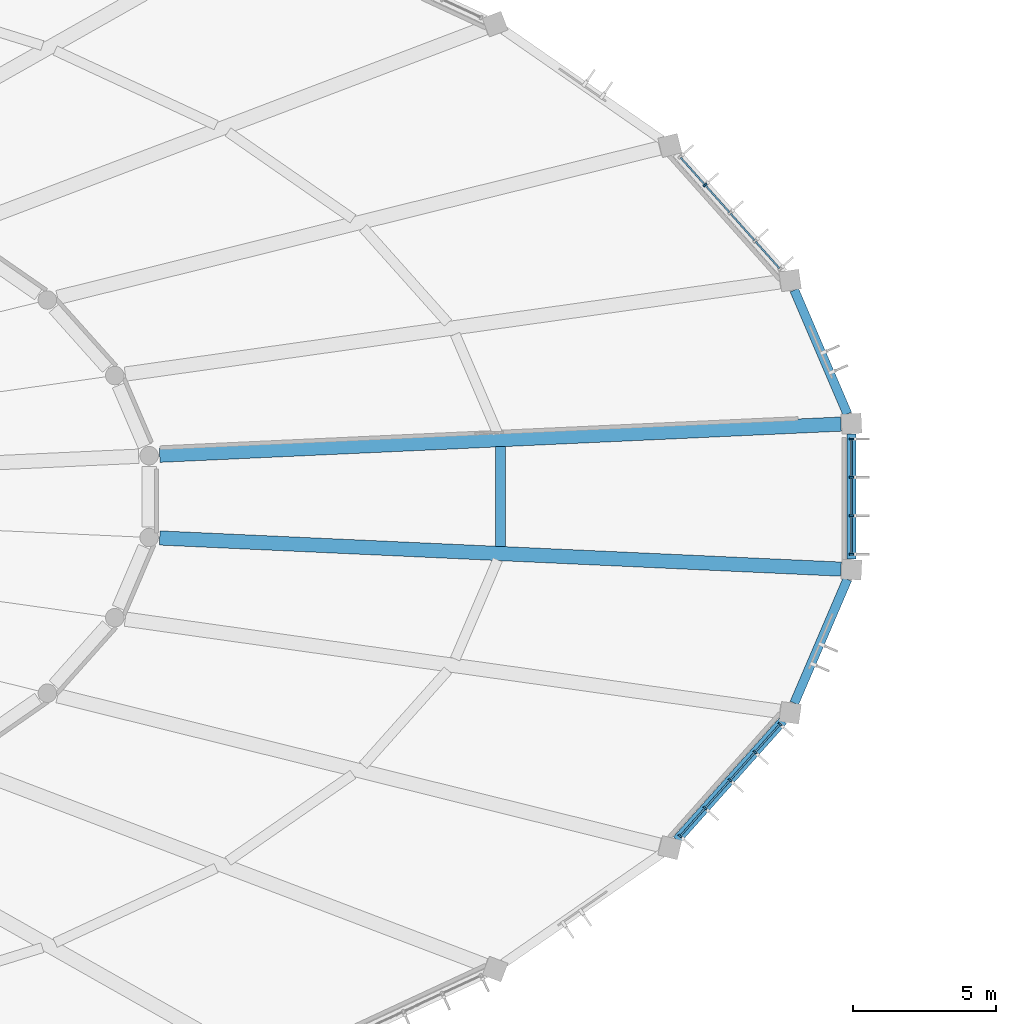
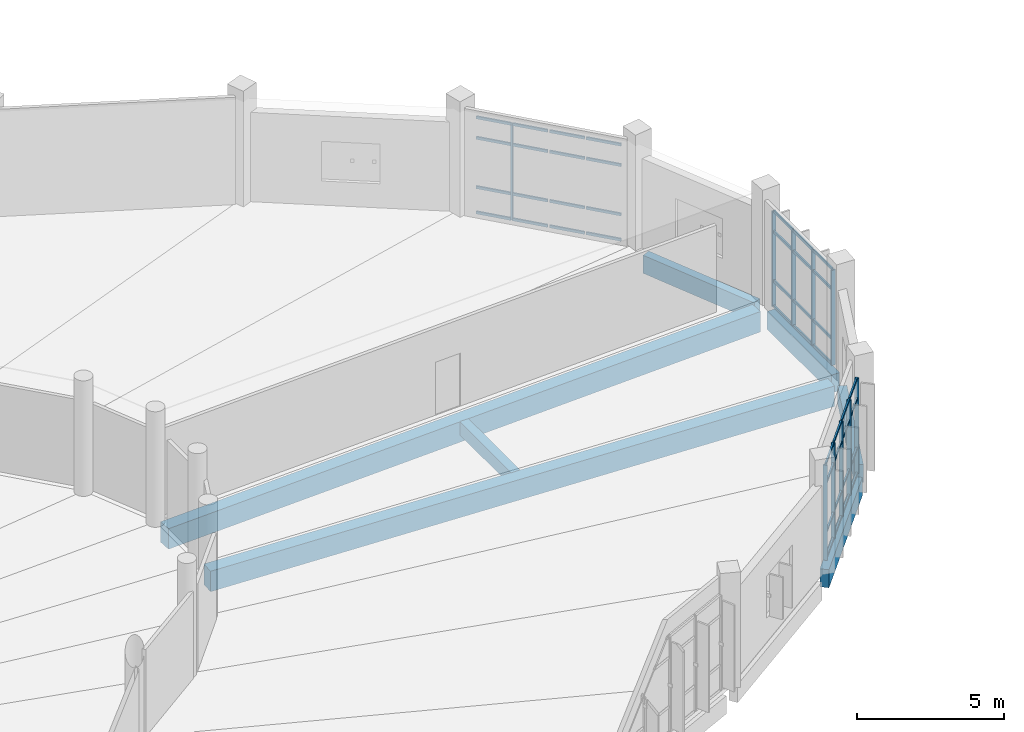
# One storey, part 68 of 179: 54 members, 7 beams, 3 elements without a shape of their own.
"""IFC4 building model written with IfcOpenShell, lengths in metres."""

from ifc_helpers import new_model, si_unit, direction, frame, origin, origin_2d, place, context, subcontext, project, spatial, rectangle, extrude, material, layer, layer_set, material_profile, profile_set, type_object, element, aggregate, save


model = new_model("IFC4")

# Units and contexts
model_context = context("Model", 3, precision=1e-05, world=origin(), true_north=direction((0.0, 1.0)))
body_context = subcontext(model_context, "Body", "Model", "MODEL_VIEW")
ifc_project = project(units=[si_unit("LENGTHUNIT", "METRE"), si_unit("AREAUNIT", "SQUARE_METRE"), si_unit("VOLUMEUNIT", "CUBIC_METRE"), si_unit("PLANEANGLEUNIT", "RADIAN"), si_unit("MASSUNIT", "GRAM", prefix="KILO")], contexts=[model_context])

# Site, building, storey
site_placement = place(None, origin())
site = spatial("IfcSite", under=ifc_project, at=site_placement, CompositionType="ELEMENT")
building_placement = place(site_placement, origin())
building = spatial("IfcBuilding", under=site, at=building_placement, Name="Corvandel Quay Wholesale Market", CompositionType="ELEMENT")
storey_placement = place(building_placement, frame((0.0, 0.0, 6.0)))
storey = spatial("IfcBuildingStorey", under=building, at=storey_placement, Name="L01", CompositionType="ELEMENT", Elevation=6.0)

# Curtain wall, member
ifc_material_1 = material(Name="Bronze anodised aluminium and low-E insulated glazing", Category="aluminium")
ifc_layer_1 = layer(ifc_material_1, 0.18603515625)
ifc_layer_set_1 = layer_set([ifc_layer_1], Name="Bronze anodised aluminium and low-E insulated glazing")
curtain_wall_type_1 = type_object("IfcCurtainWallType", Name="Stick Curtain Wall System CW08 H3720", PredefinedType="NOTDEFINED", material=ifc_layer_set_1)
curtain_wall_1_placement = place(storey_placement, origin())
curtain_wall_1 = element("IfcCurtainWall", 1, at=curtain_wall_1_placement, inside=storey, type_object=curtain_wall_type_1, Name="Curtain Wall CW-0091", PredefinedType="NOTDEFINED")
ifc_material_2 = material(Name="Anodised aluminium 6063-T6", Category="aluminium")
ifc_material_profile_1 = material_profile(ifc_material_2, rectangle(XDim=0.06494140625, YDim=0.14990234375, at=origin_2d()), Name="ALU-MUL-65x150")
ifc_profile_set_1 = profile_set([ifc_material_profile_1], Name="Anodised aluminium 6063-T6")
member_type_1 = type_object("IfcMemberType", Name="Curtain Wall Mullion ML02 65x150", PredefinedType="MULLION", material=ifc_profile_set_1)
member_1_placement = place(storey_placement, frame((164.862060546875, 126.931396484375, 0.0), z_axis=(0.0, 0.0, 1.0), x_axis=(-0.665621202286, 0.746289766155, 0.0)))
member_1 = element("IfcMember", 2, at=member_1_placement, type_object=member_type_1, Name="Mullion CW-0091-M03", PredefinedType="MULLION", context=body_context, shape_type="SweptSolid", body=[
    extrude(rectangle(XDim=0.06494140625, YDim=0.14990234375, at=origin_2d()), origin(), (0.0, 0.0, 1.0), 3.949951171875),
])

# Curtain wall, members
curtain_wall_2_placement = place(storey_placement, origin())
curtain_wall_2 = element("IfcCurtainWall", 3, at=curtain_wall_2_placement, inside=storey, type_object=curtain_wall_type_1, Name="Curtain Wall CW-0127", PredefinedType="NOTDEFINED")
member_2_placement = place(storey_placement, frame((163.986328125, 104.0869140625, 0.0), z_axis=(0.0, 0.0, 1.0), x_axis=(0.665621202286, 0.746289766155, 0.0)))
member_2 = element("IfcMember", 4, at=member_2_placement, type_object=member_type_1, Name="Mullion CW-0127-M00", PredefinedType="MULLION", context=body_context, shape_type="SweptSolid", body=[
    extrude(rectangle(XDim=0.06494140625, YDim=0.14990234375, at=origin_2d()), origin(), (0.0, 0.0, 1.0), 3.949951171875),
])
member_3_placement = place(storey_placement, frame((164.862060546875, 105.068603515625, 0.0), z_axis=(0.0, 0.0, 1.0), x_axis=(0.665621202286, 0.746289766155, 0.0)))
member_3 = element("IfcMember", 5, at=member_3_placement, type_object=member_type_1, Name="Mullion CW-0127-M01", PredefinedType="MULLION", context=body_context, shape_type="SweptSolid", body=[
    extrude(rectangle(XDim=0.06494140625, YDim=0.14990234375, at=origin_2d()), origin(), (0.0, 0.0, 1.0), 3.949951171875),
])
member_4_placement = place(storey_placement, frame((165.737548828125, 106.050048828125, 0.0), z_axis=(0.0, 0.0, 1.0), x_axis=(0.665621202286, 0.746289766155, 0.0)))
member_4 = element("IfcMember", 6, at=member_4_placement, type_object=member_type_1, Name="Mullion CW-0127-M02", PredefinedType="MULLION", context=body_context, shape_type="SweptSolid", body=[
    extrude(rectangle(XDim=0.06494140625, YDim=0.14990234375, at=origin_2d()), origin(), (0.0, 0.0, 1.0), 3.949951171875),
])
member_5_placement = place(storey_placement, frame((166.613037109375, 107.031494140625, 0.0), z_axis=(0.0, 0.0, 1.0), x_axis=(0.665621202286, 0.746289766155, 0.0)))
member_5 = element("IfcMember", 7, at=member_5_placement, type_object=member_type_1, Name="Mullion CW-0127-M03", PredefinedType="MULLION", context=body_context, shape_type="SweptSolid", body=[
    extrude(rectangle(XDim=0.06494140625, YDim=0.14990234375, at=origin_2d()), origin(), (0.0, 0.0, 1.0), 3.949951171875),
])
member_6_placement = place(storey_placement, frame((167.488525390625, 108.012939453125, 0.0), z_axis=(0.0, 0.0, 1.0), x_axis=(0.665621202286, 0.746289766155, 0.0)))
member_6 = element("IfcMember", 8, at=member_6_placement, type_object=member_type_1, Name="Mullion CW-0127-M04", PredefinedType="MULLION", context=body_context, shape_type="SweptSolid", body=[
    extrude(rectangle(XDim=0.06494140625, YDim=0.14990234375, at=origin_2d()), origin(), (0.0, 0.0, 1.0), 3.949951171875),
])

ifc_layer_2 = layer(ifc_material_1, 0.14990234375)
ifc_layer_set_2 = layer_set([ifc_layer_2], Name="Bronze anodised aluminium and low-E insulated glazing")
curtain_wall_type_2 = type_object("IfcCurtainWallType", Name="Stick Curtain Wall System CW10 H3900", PredefinedType="NOTDEFINED", material=ifc_layer_set_2)
curtain_wall_3_placement = place(storey_placement, origin())
curtain_wall_3 = element("IfcCurtainWall", 9, at=curtain_wall_3_placement, inside=storey, type_object=curtain_wall_type_2, Name="Curtain Wall CW-0129", PredefinedType="NOTDEFINED")
member_7_placement = place(storey_placement, frame((170.0, 113.97900390625, 0.0), z_axis=(0.0, 0.0, 1.0), x_axis=(0.0, 1.0, 0.0)))
member_7 = element("IfcMember", 10, at=member_7_placement, type_object=member_type_1, Name="Mullion CW-0129-M00", PredefinedType="MULLION", context=body_context, shape_type="SweptSolid", body=[
    extrude(rectangle(XDim=0.06494140625, YDim=0.14990234375, at=origin_2d()), origin(), (0.0, 0.0, 1.0), 3.949951171875),
])
member_8_placement = place(storey_placement, frame((170.0, 115.326416015625, 0.0), z_axis=(0.0, 0.0, 1.0), x_axis=(0.0, 1.0, 0.0)))
member_8 = element("IfcMember", 11, at=member_8_placement, type_object=member_type_1, Name="Mullion CW-0129-M01", PredefinedType="MULLION", context=body_context, shape_type="SweptSolid", body=[
    extrude(rectangle(XDim=0.06494140625, YDim=0.14990234375, at=origin_2d()), origin(), (0.0, 0.0, 1.0), 3.949951171875),
])
member_9_placement = place(storey_placement, frame((170.0, 116.673583984375, 0.0), z_axis=(0.0, 0.0, 1.0), x_axis=(0.0, 1.0, 0.0)))
member_9 = element("IfcMember", 12, at=member_9_placement, type_object=member_type_1, Name="Mullion CW-0129-M02", PredefinedType="MULLION", context=body_context, shape_type="SweptSolid", body=[
    extrude(rectangle(XDim=0.06494140625, YDim=0.14990234375, at=origin_2d()), origin(), (0.0, 0.0, 1.0), 3.949951171875),
])
member_10_placement = place(storey_placement, frame((170.0, 118.02099609375, 0.0), z_axis=(0.0, 0.0, 1.0), x_axis=(0.0, 1.0, 0.0)))
member_10 = element("IfcMember", 13, at=member_10_placement, type_object=member_type_1, Name="Mullion CW-0129-M03", PredefinedType="MULLION", context=body_context, shape_type="SweptSolid", body=[
    extrude(rectangle(XDim=0.06494140625, YDim=0.14990234375, at=origin_2d()), origin(), (0.0, 0.0, 1.0), 3.949951171875),
])

# Member
ifc_material_profile_2 = material_profile(ifc_material_2, rectangle(XDim=0.06005859375, YDim=0.110107421875, at=origin_2d()), Name="ALU-TRN-60x110")
ifc_profile_set_2 = profile_set([ifc_material_profile_2], Name="Anodised aluminium 6063-T6")
member_type_2 = type_object("IfcMemberType", Name="Curtain Wall Transom TR02 60x110", PredefinedType="USERDEFINED", material=ifc_profile_set_2)
member_11_placement = place(storey_placement, frame((167.467041015625, 124.01123046875, 0.0), z_axis=(-0.665732423865, 0.746190551947, 0.0), x_axis=(-0.746190551947, -0.665732423865, 0.0)))
member_11 = element("IfcMember", 14, at=member_11_placement, type_object=member_type_2, Name="Transom CW-0091-T00-0", ObjectType="TRANSOM", PredefinedType="USERDEFINED", context=body_context, shape_type="SweptSolid", body=[
    extrude(rectangle(XDim=0.06005859375, YDim=0.110107421875, at=origin_2d()), origin(), (0.0, 0.0, 1.0), 1.250244140625),
])

member_12_placement = place(storey_placement, frame((167.467041015625, 124.01123046875, 1.050048828125), z_axis=(-0.665732423865, 0.746190551947, 0.0), x_axis=(-0.746190551947, -0.665732423865, 0.0)))
member_12 = element("IfcMember", 15, at=member_12_placement, type_object=member_type_2, Name="Transom CW-0091-T00-1", ObjectType="TRANSOM", PredefinedType="USERDEFINED", context=body_context, shape_type="SweptSolid", body=[
    extrude(rectangle(XDim=0.06005859375, YDim=0.110107421875, at=origin_2d()), origin(), (0.0, 0.0, 1.0), 1.250244140625),
])

member_13_placement = place(storey_placement, frame((167.467041015625, 124.01123046875, 3.10009765625), z_axis=(-0.665732423865, 0.746190551947, 0.0), x_axis=(-0.746190551947, -0.665732423865, 0.0)))
member_13 = element("IfcMember", 16, at=member_13_placement, type_object=member_type_2, Name="Transom CW-0091-T00-2", ObjectType="TRANSOM", PredefinedType="USERDEFINED", context=body_context, shape_type="SweptSolid", body=[
    extrude(rectangle(XDim=0.06005859375, YDim=0.110107421875, at=origin_2d()), origin(), (0.0, 0.0, 1.0), 1.250244140625),
])

member_14_placement = place(storey_placement, frame((167.467041015625, 124.01123046875, 3.949951171875), z_axis=(-0.665732423865, 0.746190551947, 0.0), x_axis=(-0.746190551947, -0.665732423865, 0.0)))
member_14 = element("IfcMember", 17, at=member_14_placement, type_object=member_type_2, Name="Transom CW-0091-T00-3", ObjectType="TRANSOM", PredefinedType="USERDEFINED", context=body_context, shape_type="SweptSolid", body=[
    extrude(rectangle(XDim=0.06005859375, YDim=0.110107421875, at=origin_2d()), origin(), (0.0, 0.0, 1.0), 1.250244140625),
])

member_15_placement = place(storey_placement, frame((166.59130859375, 124.992919921875, 0.0), z_axis=(-0.665732423865, 0.746190551947, 0.0), x_axis=(-0.746190551947, -0.665732423865, 0.0)))
member_15 = element("IfcMember", 18, at=member_15_placement, type_object=member_type_2, Name="Transom CW-0091-T01-0", ObjectType="TRANSOM", PredefinedType="USERDEFINED", context=body_context, shape_type="SweptSolid", body=[
    extrude(rectangle(XDim=0.06005859375, YDim=0.110107421875, at=origin_2d()), origin(), (0.0, 0.0, 1.0), 1.250244140625),
])

member_16_placement = place(storey_placement, frame((166.59130859375, 124.992919921875, 1.050048828125), z_axis=(-0.665732423865, 0.746190551947, 0.0), x_axis=(-0.746190551947, -0.665732423865, 0.0)))
member_16 = element("IfcMember", 19, at=member_16_placement, type_object=member_type_2, Name="Transom CW-0091-T01-1", ObjectType="TRANSOM", PredefinedType="USERDEFINED", context=body_context, shape_type="SweptSolid", body=[
    extrude(rectangle(XDim=0.06005859375, YDim=0.110107421875, at=origin_2d()), origin(), (0.0, 0.0, 1.0), 1.250244140625),
])

member_17_placement = place(storey_placement, frame((166.59130859375, 124.992919921875, 3.10009765625), z_axis=(-0.665732423865, 0.746190551947, 0.0), x_axis=(-0.746190551947, -0.665732423865, 0.0)))
member_17 = element("IfcMember", 20, at=member_17_placement, type_object=member_type_2, Name="Transom CW-0091-T01-2", ObjectType="TRANSOM", PredefinedType="USERDEFINED", context=body_context, shape_type="SweptSolid", body=[
    extrude(rectangle(XDim=0.06005859375, YDim=0.110107421875, at=origin_2d()), origin(), (0.0, 0.0, 1.0), 1.250244140625),
])

member_18_placement = place(storey_placement, frame((166.59130859375, 124.992919921875, 3.949951171875), z_axis=(-0.665732423865, 0.746190551947, 0.0), x_axis=(-0.746190551947, -0.665732423865, 0.0)))
member_18 = element("IfcMember", 21, at=member_18_placement, type_object=member_type_2, Name="Transom CW-0091-T01-3", ObjectType="TRANSOM", PredefinedType="USERDEFINED", context=body_context, shape_type="SweptSolid", body=[
    extrude(rectangle(XDim=0.06005859375, YDim=0.110107421875, at=origin_2d()), origin(), (0.0, 0.0, 1.0), 1.250244140625),
])

member_19_placement = place(storey_placement, frame((165.7158203125, 125.974365234375, 0.0), z_axis=(-0.665732423865, 0.746190551947, 0.0), x_axis=(-0.746190551947, -0.665732423865, 0.0)))
member_19 = element("IfcMember", 22, at=member_19_placement, type_object=member_type_2, Name="Transom CW-0091-T02-0", ObjectType="TRANSOM", PredefinedType="USERDEFINED", context=body_context, shape_type="SweptSolid", body=[
    extrude(rectangle(XDim=0.06005859375, YDim=0.110107421875, at=origin_2d()), origin(), (0.0, 0.0, 1.0), 1.250244140625),
])

member_20_placement = place(storey_placement, frame((165.7158203125, 125.974365234375, 1.050048828125), z_axis=(-0.665732423865, 0.746190551947, 0.0), x_axis=(-0.746190551947, -0.665732423865, 0.0)))
member_20 = element("IfcMember", 23, at=member_20_placement, type_object=member_type_2, Name="Transom CW-0091-T02-1", ObjectType="TRANSOM", PredefinedType="USERDEFINED", context=body_context, shape_type="SweptSolid", body=[
    extrude(rectangle(XDim=0.06005859375, YDim=0.110107421875, at=origin_2d()), origin(), (0.0, 0.0, 1.0), 1.250244140625),
])

member_21_placement = place(storey_placement, frame((165.7158203125, 125.974365234375, 3.10009765625), z_axis=(-0.665732423865, 0.746190551947, 0.0), x_axis=(-0.746190551947, -0.665732423865, 0.0)))
member_21 = element("IfcMember", 24, at=member_21_placement, type_object=member_type_2, Name="Transom CW-0091-T02-2", ObjectType="TRANSOM", PredefinedType="USERDEFINED", context=body_context, shape_type="SweptSolid", body=[
    extrude(rectangle(XDim=0.06005859375, YDim=0.110107421875, at=origin_2d()), origin(), (0.0, 0.0, 1.0), 1.250244140625),
])

member_22_placement = place(storey_placement, frame((165.7158203125, 125.974365234375, 3.949951171875), z_axis=(-0.665732423865, 0.746190551947, 0.0), x_axis=(-0.746190551947, -0.665732423865, 0.0)))
member_22 = element("IfcMember", 25, at=member_22_placement, type_object=member_type_2, Name="Transom CW-0091-T02-3", ObjectType="TRANSOM", PredefinedType="USERDEFINED", context=body_context, shape_type="SweptSolid", body=[
    extrude(rectangle(XDim=0.06005859375, YDim=0.110107421875, at=origin_2d()), origin(), (0.0, 0.0, 1.0), 1.250244140625),
])

member_23_placement = place(storey_placement, frame((164.84033203125, 126.955810546875, 0.0), z_axis=(-0.665732423865, 0.746190551947, 0.0), x_axis=(-0.746190551947, -0.665732423865, 0.0)))
member_23 = element("IfcMember", 26, at=member_23_placement, type_object=member_type_2, Name="Transom CW-0091-T03-0", ObjectType="TRANSOM", PredefinedType="USERDEFINED", context=body_context, shape_type="SweptSolid", body=[
    extrude(rectangle(XDim=0.06005859375, YDim=0.110107421875, at=origin_2d()), origin(), (0.0, 0.0, 1.0), 1.250244140625),
])

member_24_placement = place(storey_placement, frame((164.84033203125, 126.955810546875, 1.050048828125), z_axis=(-0.665732423865, 0.746190551947, 0.0), x_axis=(-0.746190551947, -0.665732423865, 0.0)))
member_24 = element("IfcMember", 27, at=member_24_placement, type_object=member_type_2, Name="Transom CW-0091-T03-1", ObjectType="TRANSOM", PredefinedType="USERDEFINED", context=body_context, shape_type="SweptSolid", body=[
    extrude(rectangle(XDim=0.06005859375, YDim=0.110107421875, at=origin_2d()), origin(), (0.0, 0.0, 1.0), 1.250244140625),
])

member_25_placement = place(storey_placement, frame((164.84033203125, 126.955810546875, 3.10009765625), z_axis=(-0.665732423865, 0.746190551947, 0.0), x_axis=(-0.746190551947, -0.665732423865, 0.0)))
member_25 = element("IfcMember", 28, at=member_25_placement, type_object=member_type_2, Name="Transom CW-0091-T03-2", ObjectType="TRANSOM", PredefinedType="USERDEFINED", context=body_context, shape_type="SweptSolid", body=[
    extrude(rectangle(XDim=0.06005859375, YDim=0.110107421875, at=origin_2d()), origin(), (0.0, 0.0, 1.0), 1.250244140625),
])

member_26_placement = place(storey_placement, frame((164.84033203125, 126.955810546875, 3.949951171875), z_axis=(-0.665732423865, 0.746190551947, 0.0), x_axis=(-0.746190551947, -0.665732423865, 0.0)))
member_26 = element("IfcMember", 29, at=member_26_placement, type_object=member_type_2, Name="Transom CW-0091-T03-3", ObjectType="TRANSOM", PredefinedType="USERDEFINED", context=body_context, shape_type="SweptSolid", body=[
    extrude(rectangle(XDim=0.06005859375, YDim=0.110107421875, at=origin_2d()), origin(), (0.0, 0.0, 1.0), 1.250244140625),
])

aggregate(curtain_wall_1, [member_1, member_11, member_12, member_13, member_14, member_15, member_16, member_17, member_18, member_19, member_20, member_21, member_22, member_23, member_24, member_25, member_26])

member_27_placement = place(storey_placement, frame((164.008056640625, 104.111328125, 0.0), z_axis=(0.665732423865, 0.746190551947, 0.0), x_axis=(-0.746190551947, 0.665732423865, 0.0)))
member_27 = element("IfcMember", 30, at=member_27_placement, type_object=member_type_2, Name="Transom CW-0127-T00-0", ObjectType="TRANSOM", PredefinedType="USERDEFINED", context=body_context, shape_type="SweptSolid", body=[
    extrude(rectangle(XDim=0.06005859375, YDim=0.110107421875, at=origin_2d()), origin(), (0.0, 0.0, 1.0), 1.250244140625),
])

member_28_placement = place(storey_placement, frame((164.008056640625, 104.111328125, 1.050048828125), z_axis=(0.665732423865, 0.746190551947, 0.0), x_axis=(-0.746190551947, 0.665732423865, 0.0)))
member_28 = element("IfcMember", 31, at=member_28_placement, type_object=member_type_2, Name="Transom CW-0127-T00-1", ObjectType="TRANSOM", PredefinedType="USERDEFINED", context=body_context, shape_type="SweptSolid", body=[
    extrude(rectangle(XDim=0.06005859375, YDim=0.110107421875, at=origin_2d()), origin(), (0.0, 0.0, 1.0), 1.250244140625),
])

member_29_placement = place(storey_placement, frame((164.008056640625, 104.111328125, 3.10009765625), z_axis=(0.665732423865, 0.746190551947, 0.0), x_axis=(-0.746190551947, 0.665732423865, 0.0)))
member_29 = element("IfcMember", 32, at=member_29_placement, type_object=member_type_2, Name="Transom CW-0127-T00-2", ObjectType="TRANSOM", PredefinedType="USERDEFINED", context=body_context, shape_type="SweptSolid", body=[
    extrude(rectangle(XDim=0.06005859375, YDim=0.110107421875, at=origin_2d()), origin(), (0.0, 0.0, 1.0), 1.250244140625),
])

member_30_placement = place(storey_placement, frame((164.008056640625, 104.111328125, 3.949951171875), z_axis=(0.665732423865, 0.746190551947, 0.0), x_axis=(-0.746190551947, 0.665732423865, 0.0)))
member_30 = element("IfcMember", 33, at=member_30_placement, type_object=member_type_2, Name="Transom CW-0127-T00-3", ObjectType="TRANSOM", PredefinedType="USERDEFINED", context=body_context, shape_type="SweptSolid", body=[
    extrude(rectangle(XDim=0.06005859375, YDim=0.110107421875, at=origin_2d()), origin(), (0.0, 0.0, 1.0), 1.250244140625),
])

member_31_placement = place(storey_placement, frame((164.883544921875, 105.0927734375, 0.0), z_axis=(0.665732423865, 0.746190551947, 0.0), x_axis=(-0.746190551947, 0.665732423865, 0.0)))
member_31 = element("IfcMember", 34, at=member_31_placement, type_object=member_type_2, Name="Transom CW-0127-T01-0", ObjectType="TRANSOM", PredefinedType="USERDEFINED", context=body_context, shape_type="SweptSolid", body=[
    extrude(rectangle(XDim=0.06005859375, YDim=0.110107421875, at=origin_2d()), origin(), (0.0, 0.0, 1.0), 1.250244140625),
])

member_32_placement = place(storey_placement, frame((164.883544921875, 105.0927734375, 1.050048828125), z_axis=(0.665732423865, 0.746190551947, 0.0), x_axis=(-0.746190551947, 0.665732423865, 0.0)))
member_32 = element("IfcMember", 35, at=member_32_placement, type_object=member_type_2, Name="Transom CW-0127-T01-1", ObjectType="TRANSOM", PredefinedType="USERDEFINED", context=body_context, shape_type="SweptSolid", body=[
    extrude(rectangle(XDim=0.06005859375, YDim=0.110107421875, at=origin_2d()), origin(), (0.0, 0.0, 1.0), 1.250244140625),
])

member_33_placement = place(storey_placement, frame((164.883544921875, 105.0927734375, 3.10009765625), z_axis=(0.665732423865, 0.746190551947, 0.0), x_axis=(-0.746190551947, 0.665732423865, 0.0)))
member_33 = element("IfcMember", 36, at=member_33_placement, type_object=member_type_2, Name="Transom CW-0127-T01-2", ObjectType="TRANSOM", PredefinedType="USERDEFINED", context=body_context, shape_type="SweptSolid", body=[
    extrude(rectangle(XDim=0.06005859375, YDim=0.110107421875, at=origin_2d()), origin(), (0.0, 0.0, 1.0), 1.250244140625),
])

member_34_placement = place(storey_placement, frame((164.883544921875, 105.0927734375, 3.949951171875), z_axis=(0.665732423865, 0.746190551947, 0.0), x_axis=(-0.746190551947, 0.665732423865, 0.0)))
member_34 = element("IfcMember", 37, at=member_34_placement, type_object=member_type_2, Name="Transom CW-0127-T01-3", ObjectType="TRANSOM", PredefinedType="USERDEFINED", context=body_context, shape_type="SweptSolid", body=[
    extrude(rectangle(XDim=0.06005859375, YDim=0.110107421875, at=origin_2d()), origin(), (0.0, 0.0, 1.0), 1.250244140625),
])

member_35_placement = place(storey_placement, frame((165.759033203125, 106.07421875, 0.0), z_axis=(0.665732423865, 0.746190551947, 0.0), x_axis=(-0.746190551947, 0.665732423865, 0.0)))
member_35 = element("IfcMember", 38, at=member_35_placement, type_object=member_type_2, Name="Transom CW-0127-T02-0", ObjectType="TRANSOM", PredefinedType="USERDEFINED", context=body_context, shape_type="SweptSolid", body=[
    extrude(rectangle(XDim=0.06005859375, YDim=0.110107421875, at=origin_2d()), origin(), (0.0, 0.0, 1.0), 1.250244140625),
])

member_36_placement = place(storey_placement, frame((165.759033203125, 106.07421875, 1.050048828125), z_axis=(0.665732423865, 0.746190551947, 0.0), x_axis=(-0.746190551947, 0.665732423865, 0.0)))
member_36 = element("IfcMember", 39, at=member_36_placement, type_object=member_type_2, Name="Transom CW-0127-T02-1", ObjectType="TRANSOM", PredefinedType="USERDEFINED", context=body_context, shape_type="SweptSolid", body=[
    extrude(rectangle(XDim=0.06005859375, YDim=0.110107421875, at=origin_2d()), origin(), (0.0, 0.0, 1.0), 1.250244140625),
])

member_37_placement = place(storey_placement, frame((165.759033203125, 106.07421875, 3.10009765625), z_axis=(0.665732423865, 0.746190551947, 0.0), x_axis=(-0.746190551947, 0.665732423865, 0.0)))
member_37 = element("IfcMember", 40, at=member_37_placement, type_object=member_type_2, Name="Transom CW-0127-T02-2", ObjectType="TRANSOM", PredefinedType="USERDEFINED", context=body_context, shape_type="SweptSolid", body=[
    extrude(rectangle(XDim=0.06005859375, YDim=0.110107421875, at=origin_2d()), origin(), (0.0, 0.0, 1.0), 1.250244140625),
])

member_38_placement = place(storey_placement, frame((165.759033203125, 106.07421875, 3.949951171875), z_axis=(0.665732423865, 0.746190551947, 0.0), x_axis=(-0.746190551947, 0.665732423865, 0.0)))
member_38 = element("IfcMember", 41, at=member_38_placement, type_object=member_type_2, Name="Transom CW-0127-T02-3", ObjectType="TRANSOM", PredefinedType="USERDEFINED", context=body_context, shape_type="SweptSolid", body=[
    extrude(rectangle(XDim=0.06005859375, YDim=0.110107421875, at=origin_2d()), origin(), (0.0, 0.0, 1.0), 1.250244140625),
])

member_39_placement = place(storey_placement, frame((166.634765625, 107.055908203125, 0.0), z_axis=(0.665732423865, 0.746190551947, 0.0), x_axis=(-0.746190551947, 0.665732423865, 0.0)))
member_39 = element("IfcMember", 42, at=member_39_placement, type_object=member_type_2, Name="Transom CW-0127-T03-0", ObjectType="TRANSOM", PredefinedType="USERDEFINED", context=body_context, shape_type="SweptSolid", body=[
    extrude(rectangle(XDim=0.06005859375, YDim=0.110107421875, at=origin_2d()), origin(), (0.0, 0.0, 1.0), 1.250244140625),
])

member_40_placement = place(storey_placement, frame((166.634765625, 107.055908203125, 1.050048828125), z_axis=(0.665732423865, 0.746190551947, 0.0), x_axis=(-0.746190551947, 0.665732423865, 0.0)))
member_40 = element("IfcMember", 43, at=member_40_placement, type_object=member_type_2, Name="Transom CW-0127-T03-1", ObjectType="TRANSOM", PredefinedType="USERDEFINED", context=body_context, shape_type="SweptSolid", body=[
    extrude(rectangle(XDim=0.06005859375, YDim=0.110107421875, at=origin_2d()), origin(), (0.0, 0.0, 1.0), 1.250244140625),
])

member_41_placement = place(storey_placement, frame((166.634765625, 107.055908203125, 3.10009765625), z_axis=(0.665732423865, 0.746190551947, 0.0), x_axis=(-0.746190551947, 0.665732423865, 0.0)))
member_41 = element("IfcMember", 44, at=member_41_placement, type_object=member_type_2, Name="Transom CW-0127-T03-2", ObjectType="TRANSOM", PredefinedType="USERDEFINED", context=body_context, shape_type="SweptSolid", body=[
    extrude(rectangle(XDim=0.06005859375, YDim=0.110107421875, at=origin_2d()), origin(), (0.0, 0.0, 1.0), 1.250244140625),
])

member_42_placement = place(storey_placement, frame((166.634765625, 107.055908203125, 3.949951171875), z_axis=(0.665732423865, 0.746190551947, 0.0), x_axis=(-0.746190551947, 0.665732423865, 0.0)))
member_42 = element("IfcMember", 45, at=member_42_placement, type_object=member_type_2, Name="Transom CW-0127-T03-3", ObjectType="TRANSOM", PredefinedType="USERDEFINED", context=body_context, shape_type="SweptSolid", body=[
    extrude(rectangle(XDim=0.06005859375, YDim=0.110107421875, at=origin_2d()), origin(), (0.0, 0.0, 1.0), 1.250244140625),
])

aggregate(curtain_wall_2, [member_2, member_3, member_4, member_5, member_6, member_27, member_28, member_29, member_30, member_31, member_32, member_33, member_34, member_35, member_36, member_37, member_38, member_39, member_40, member_41, member_42])

member_43_placement = place(storey_placement, frame((170.0, 114.011474609375, 0.0), z_axis=(0.0, 1.0, 0.0), x_axis=(-1.0, 0.0, 0.0)))
member_43 = element("IfcMember", 46, at=member_43_placement, type_object=member_type_2, Name="Transom CW-0129-T00-0", ObjectType="TRANSOM", PredefinedType="USERDEFINED", context=body_context, shape_type="SweptSolid", body=[
    extrude(rectangle(XDim=0.06005859375, YDim=0.110107421875, at=origin_2d()), origin(), (0.0, 0.0, 1.0), 1.2822265625),
])

member_44_placement = place(storey_placement, frame((170.0, 114.011474609375, 1.050048828125), z_axis=(0.0, 1.0, 0.0), x_axis=(-1.0, 0.0, 0.0)))
member_44 = element("IfcMember", 47, at=member_44_placement, type_object=member_type_2, Name="Transom CW-0129-T00-1", ObjectType="TRANSOM", PredefinedType="USERDEFINED", context=body_context, shape_type="SweptSolid", body=[
    extrude(rectangle(XDim=0.06005859375, YDim=0.110107421875, at=origin_2d()), origin(), (0.0, 0.0, 1.0), 1.2822265625),
])

member_45_placement = place(storey_placement, frame((170.0, 114.011474609375, 3.10009765625), z_axis=(0.0, 1.0, 0.0), x_axis=(-1.0, 0.0, 0.0)))
member_45 = element("IfcMember", 48, at=member_45_placement, type_object=member_type_2, Name="Transom CW-0129-T00-2", ObjectType="TRANSOM", PredefinedType="USERDEFINED", context=body_context, shape_type="SweptSolid", body=[
    extrude(rectangle(XDim=0.06005859375, YDim=0.110107421875, at=origin_2d()), origin(), (0.0, 0.0, 1.0), 1.2822265625),
])

member_46_placement = place(storey_placement, frame((170.0, 114.011474609375, 3.949951171875), z_axis=(0.0, 1.0, 0.0), x_axis=(-1.0, 0.0, 0.0)))
member_46 = element("IfcMember", 49, at=member_46_placement, type_object=member_type_2, Name="Transom CW-0129-T00-3", ObjectType="TRANSOM", PredefinedType="USERDEFINED", context=body_context, shape_type="SweptSolid", body=[
    extrude(rectangle(XDim=0.06005859375, YDim=0.110107421875, at=origin_2d()), origin(), (0.0, 0.0, 1.0), 1.2822265625),
])

member_47_placement = place(storey_placement, frame((170.0, 115.35888671875, 0.0), z_axis=(0.0, 1.0, 0.0), x_axis=(-1.0, 0.0, 0.0)))
member_47 = element("IfcMember", 50, at=member_47_placement, type_object=member_type_2, Name="Transom CW-0129-T01-0", ObjectType="TRANSOM", PredefinedType="USERDEFINED", context=body_context, shape_type="SweptSolid", body=[
    extrude(rectangle(XDim=0.06005859375, YDim=0.110107421875, at=origin_2d()), origin(), (0.0, 0.0, 1.0), 1.2822265625),
])

member_48_placement = place(storey_placement, frame((170.0, 115.35888671875, 1.050048828125), z_axis=(0.0, 1.0, 0.0), x_axis=(-1.0, 0.0, 0.0)))
member_48 = element("IfcMember", 51, at=member_48_placement, type_object=member_type_2, Name="Transom CW-0129-T01-1", ObjectType="TRANSOM", PredefinedType="USERDEFINED", context=body_context, shape_type="SweptSolid", body=[
    extrude(rectangle(XDim=0.06005859375, YDim=0.110107421875, at=origin_2d()), origin(), (0.0, 0.0, 1.0), 1.2822265625),
])

member_49_placement = place(storey_placement, frame((170.0, 115.35888671875, 3.10009765625), z_axis=(0.0, 1.0, 0.0), x_axis=(-1.0, 0.0, 0.0)))
member_49 = element("IfcMember", 52, at=member_49_placement, type_object=member_type_2, Name="Transom CW-0129-T01-2", ObjectType="TRANSOM", PredefinedType="USERDEFINED", context=body_context, shape_type="SweptSolid", body=[
    extrude(rectangle(XDim=0.06005859375, YDim=0.110107421875, at=origin_2d()), origin(), (0.0, 0.0, 1.0), 1.2822265625),
])

member_50_placement = place(storey_placement, frame((170.0, 115.35888671875, 3.949951171875), z_axis=(0.0, 1.0, 0.0), x_axis=(-1.0, 0.0, 0.0)))
member_50 = element("IfcMember", 53, at=member_50_placement, type_object=member_type_2, Name="Transom CW-0129-T01-3", ObjectType="TRANSOM", PredefinedType="USERDEFINED", context=body_context, shape_type="SweptSolid", body=[
    extrude(rectangle(XDim=0.06005859375, YDim=0.110107421875, at=origin_2d()), origin(), (0.0, 0.0, 1.0), 1.2822265625),
])

member_51_placement = place(storey_placement, frame((170.0, 116.706298828125, 0.0), z_axis=(0.0, 1.0, 0.0), x_axis=(-1.0, 0.0, 0.0)))
member_51 = element("IfcMember", 54, at=member_51_placement, type_object=member_type_2, Name="Transom CW-0129-T02-0", ObjectType="TRANSOM", PredefinedType="USERDEFINED", context=body_context, shape_type="SweptSolid", body=[
    extrude(rectangle(XDim=0.06005859375, YDim=0.110107421875, at=origin_2d()), origin(), (0.0, 0.0, 1.0), 1.2822265625),
])

member_52_placement = place(storey_placement, frame((170.0, 116.706298828125, 1.050048828125), z_axis=(0.0, 1.0, 0.0), x_axis=(-1.0, 0.0, 0.0)))
member_52 = element("IfcMember", 55, at=member_52_placement, type_object=member_type_2, Name="Transom CW-0129-T02-1", ObjectType="TRANSOM", PredefinedType="USERDEFINED", context=body_context, shape_type="SweptSolid", body=[
    extrude(rectangle(XDim=0.06005859375, YDim=0.110107421875, at=origin_2d()), origin(), (0.0, 0.0, 1.0), 1.2822265625),
])

member_53_placement = place(storey_placement, frame((170.0, 116.706298828125, 3.10009765625), z_axis=(0.0, 1.0, 0.0), x_axis=(-1.0, 0.0, 0.0)))
member_53 = element("IfcMember", 56, at=member_53_placement, type_object=member_type_2, Name="Transom CW-0129-T02-2", ObjectType="TRANSOM", PredefinedType="USERDEFINED", context=body_context, shape_type="SweptSolid", body=[
    extrude(rectangle(XDim=0.06005859375, YDim=0.110107421875, at=origin_2d()), origin(), (0.0, 0.0, 1.0), 1.2822265625),
])

member_54_placement = place(storey_placement, frame((170.0, 116.706298828125, 3.949951171875), z_axis=(0.0, 1.0, 0.0), x_axis=(-1.0, 0.0, 0.0)))
member_54 = element("IfcMember", 57, at=member_54_placement, type_object=member_type_2, Name="Transom CW-0129-T02-3", ObjectType="TRANSOM", PredefinedType="USERDEFINED", context=body_context, shape_type="SweptSolid", body=[
    extrude(rectangle(XDim=0.06005859375, YDim=0.110107421875, at=origin_2d()), origin(), (0.0, 0.0, 1.0), 1.2822265625),
])

aggregate(curtain_wall_3, [member_7, member_8, member_9, member_10, member_43, member_44, member_45, member_46, member_47, member_48, member_49, member_50, member_51, member_52, member_53, member_54])

# Beams
ifc_material_3 = material(Name="Precast concrete C45/55", Category="concrete")
ifc_material_profile_3 = material_profile(ifc_material_3, rectangle(XDim=0.5, YDim=0.85009765625, at=origin_2d()), Name="PC-GIR-500x850")
ifc_profile_set_3 = profile_set([ifc_material_profile_3], Name="Precast concrete C45/55")
beam_type_1 = type_object("IfcBeamType", Name="Fish Hall Radial Girder G04 500x850", PredefinedType="USERDEFINED", material=ifc_profile_set_3)
for number, where, z_axis, x_axis, name in (
    (58, (169.63037109375, 118.544189453125, -0.705078125), (-0.998955496989, -0.045693708917, 0.0), (0.045693708917, -0.998955496989, 0.0), "Beam BM-0524"),
    (59, (169.63037109375, 113.455810546875, -0.705078125), (-0.998955496989, 0.045693708917, 0.0), (-0.045693708917, -0.998955496989, 0.0), "Beam BM-0756"),
):
    element("IfcBeam", number, at=place(storey_placement, frame(where, z_axis=z_axis, x_axis=x_axis)), inside=storey, type_object=beam_type_1, Name=name, ObjectType="GIRDER", PredefinedType="USERDEFINED", context=body_context, shape_type="SweptSolid", body=[
        extrude(rectangle(XDim=0.5, YDim=0.85009765625, at=origin_2d()), origin(), (0.0, 0.0, 1.0), 23.92578125),
    ])
ifc_material_profile_4 = material_profile(ifc_material_3, rectangle(XDim=0.320068359375, YDim=0.75, at=origin_2d()), Name="PC-SPN-320x750")
ifc_profile_set_4 = profile_set([ifc_material_profile_4], Name="Precast concrete C45/55")
beam_type_2 = type_object("IfcBeamType", Name="Pavilion Precast Spandrel SP02 320x750", PredefinedType="SPANDREL", material=ifc_profile_set_4)
beam_1_placement = place(storey_placement, frame((169.854248046875, 118.901123046875, -0.655029296875), z_axis=(-0.393813273626, 0.919190462046, 0.0), x_axis=(-0.919190462046, -0.393813273626, 0.0)))
element("IfcBeam", 60, at=beam_1_placement, inside=storey, type_object=beam_type_2, Name="Beam BM-0522", PredefinedType="SPANDREL", context=body_context, shape_type="SweptSolid", body=[
    extrude(rectangle(XDim=0.320068359375, YDim=0.75, at=origin_2d()), origin(), (0.0, 0.0, 1.0), 4.724609375),
])
beam_2_placement = place(storey_placement, frame((163.873291015625, 103.960205078125, -0.655029296875), z_axis=(0.66568308194, 0.74623457064, 0.0), x_axis=(-0.74623457064, 0.66568308194, 0.0)))
element("IfcBeam", 61, at=beam_2_placement, inside=storey, type_object=beam_type_2, Name="Beam BM-0740", PredefinedType="SPANDREL", context=body_context, shape_type="SweptSolid", body=[
    extrude(rectangle(XDim=0.320068359375, YDim=0.75, at=origin_2d()), origin(), (0.0, 0.0, 1.0), 5.60107421875),
])
beam_3_placement = place(storey_placement, frame((167.99365234375, 108.756103515625, -0.655029296875), z_axis=(0.393813273626, 0.919190462046, 0.0), x_axis=(-0.919190462046, 0.393813273626, 0.0)))
element("IfcBeam", 62, at=beam_3_placement, inside=storey, type_object=beam_type_2, Name="Beam BM-0747", PredefinedType="SPANDREL", context=body_context, shape_type="SweptSolid", body=[
    extrude(rectangle(XDim=0.320068359375, YDim=0.75, at=origin_2d()), origin(), (0.0, 0.0, 1.0), 4.724609375),
])
beam_4_placement = place(storey_placement, frame((170.0, 113.80908203125, -0.655029296875), z_axis=(0.0, 1.0, 0.0), x_axis=(-1.0, 0.0, 0.0)))
element("IfcBeam", 63, at=beam_4_placement, inside=storey, type_object=beam_type_2, Name="Beam BM-0754", PredefinedType="SPANDREL", context=body_context, shape_type="SweptSolid", body=[
    extrude(rectangle(XDim=0.320068359375, YDim=0.75, at=origin_2d()), origin(), (0.0, 0.0, 1.0), 4.3818359375),
])
ifc_material_profile_5 = material_profile(ifc_material_3, rectangle(XDim=0.35009765625, YDim=0.550048828125, at=origin_2d()), Name="PC-BM-350x550")
ifc_profile_set_5 = profile_set([ifc_material_profile_5], Name="Precast concrete C45/55")
beam_type_3 = type_object("IfcBeamType", Name="Standard Floor Secondary Beam B03 350x550", PredefinedType="BEAM", material=ifc_profile_set_5)
beam_5_placement = place(storey_placement, frame((157.679931640625, 114.242431640625, -0.554931640625), z_axis=(0.0, 1.0, 0.0), x_axis=(-1.0, 0.0, 0.0)))
element("IfcBeam", 64, at=beam_5_placement, inside=storey, type_object=beam_type_3, Name="Beam BM-0757", PredefinedType="BEAM", context=body_context, shape_type="SweptSolid", body=[
    extrude(rectangle(XDim=0.35009765625, YDim=0.550048828125, at=origin_2d()), origin(), (0.0, 0.0, 1.0), 3.51513671875),
])

save(model, "model.ifc")
